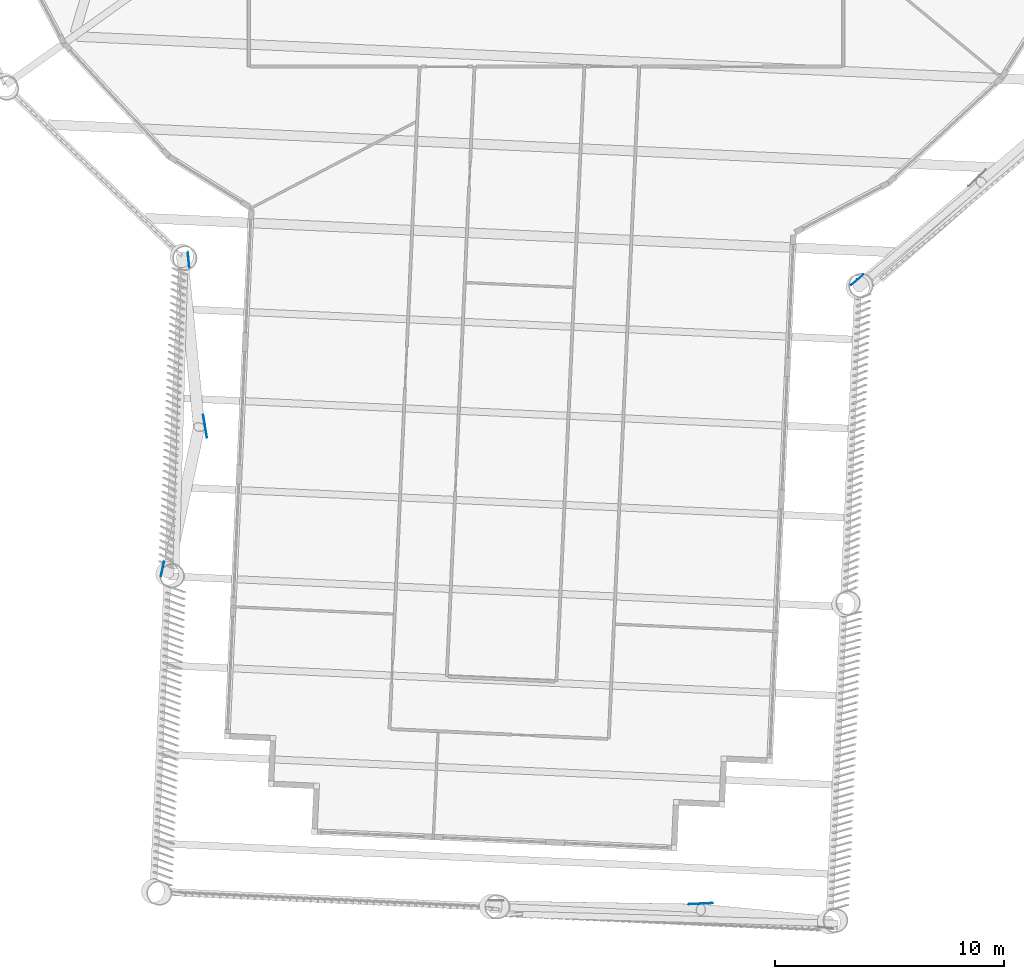
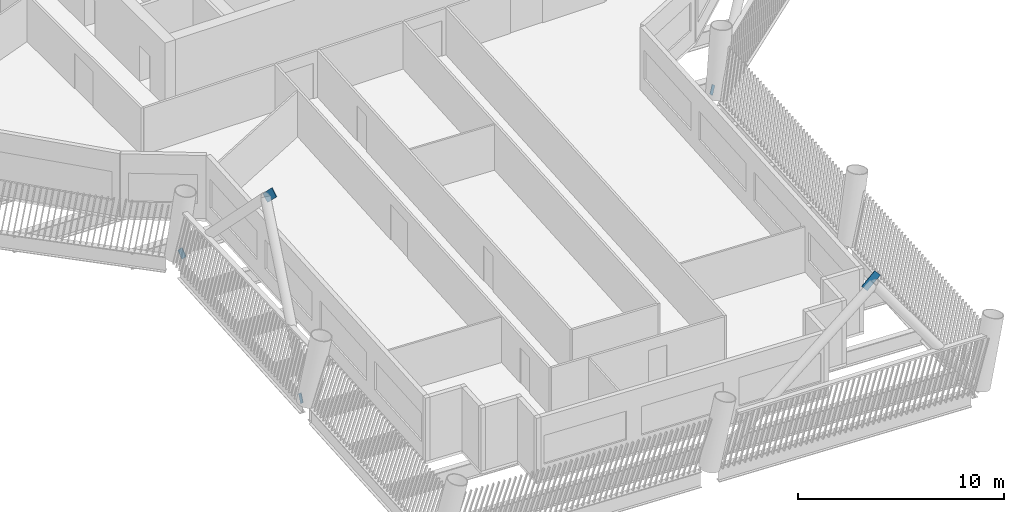
# One storey, part 8 of 24: 5 discrete accessories.
"""IFC4 building model written with IfcOpenShell, lengths in metres."""

from ifc_helpers import new_model, si_unit, direction, frame, origin, origin_2d, place, context, subcontext, project, spatial, rectangle, extrude, material, material_profile, profile_set, type_object, element, save


model = new_model("IFC4")

# Units and contexts
model_context = context("Model", 3, precision=1e-05, world=origin(), true_north=direction((0.0, 1.0)))
body_context = subcontext(model_context, "Body", "Model", "MODEL_VIEW")
ifc_project = project(units=[si_unit("LENGTHUNIT", "METRE"), si_unit("AREAUNIT", "SQUARE_METRE"), si_unit("VOLUMEUNIT", "CUBIC_METRE"), si_unit("PLANEANGLEUNIT", "RADIAN"), si_unit("MASSUNIT", "GRAM", prefix="KILO")], contexts=[model_context])

# Site, building, storey
site_placement = place(None, origin())
site = spatial("IfcSite", under=ifc_project, at=site_placement, CompositionType="ELEMENT")
building_placement = place(site_placement, origin())
building = spatial("IfcBuilding", under=site, at=building_placement, Name="Tarsis Ring Headquarters", CompositionType="ELEMENT")
storey_placement = place(building_placement, frame((0.0, 0.0, 216.0)))
storey = spatial("IfcBuildingStorey", under=building, at=storey_placement, Name="L50", CompositionType="ELEMENT", Elevation=216.0)

# Discrete accessories
ifc_material = material(Name="Structural steel S355", Category="steel")
ifc_material_profile = material_profile(ifc_material, rectangle(XDim=0.02490234375, YDim=0.5, at=origin_2d()), Name="PL 25x500")
ifc_profile_set = profile_set([ifc_material_profile], Name="Structural steel S355")
discrete_accessory_type = type_object("IfcDiscreteAccessoryType", Name="Gusset plate Exo brace 25", PredefinedType="BRACKET", material=ifc_profile_set)
discrete_accessory_1_placement = place(storey_placement, frame((-15.6533203125, -24.272216796875, 0.0), z_axis=(0.068355781542, -0.689905137996, 0.72066523969), x_axis=(0.995127425367, 0.098597197135, 0.0)))
element("IfcDiscreteAccessory", 1, at=discrete_accessory_1_placement, inside=storey, type_object=discrete_accessory_type, Name="Gusset plate GP5", PredefinedType="BRACKET", context=body_context, shape_type="SweptSolid", body=[
    extrude(rectangle(XDim=0.02490234375, YDim=0.5, at=origin_2d()), origin(), (0.0, 0.0, 1.0), 0.5),
])
discrete_accessory_2_placement = place(storey_placement, frame((-14.971435546875, -31.382568359375, 7.4404296875), z_axis=(0.112793862918, -0.685796452242, 0.71899984046), x_axis=(0.986742951131, 0.162290937495, 0.0)))
element("IfcDiscreteAccessory", 2, at=discrete_accessory_2_placement, inside=storey, type_object=discrete_accessory_type, Name="Gusset plate GP5", PredefinedType="BRACKET", context=body_context, shape_type="SweptSolid", body=[
    extrude(rectangle(XDim=0.02490234375, YDim=0.5, at=origin_2d()), origin(), (0.0, 0.0, 1.0), 1.0),
])
discrete_accessory_3_placement = place(storey_placement, frame((-16.809814453125, -38.130615234375, 0.0), z_axis=(0.134304067587, 0.629519793162, 0.765288996032), x_axis=(-0.977990772182, 0.208648147673, 0.0)))
element("IfcDiscreteAccessory", 3, at=discrete_accessory_3_placement, inside=storey, type_object=discrete_accessory_type, Name="Gusset plate GP5", PredefinedType="BRACKET", context=body_context, shape_type="SweptSolid", body=[
    extrude(rectangle(XDim=0.02490234375, YDim=0.5, at=origin_2d()), origin(), (0.0, 0.0, 1.0), 0.5),
])
discrete_accessory_4_placement = place(storey_placement, frame((6.380126953125, -52.63525390625, 7.47607421875), z_axis=(0.76115604547, 0.034664579364, 0.647641753891), x_axis=(-0.045494858674, 0.998964572862, 0.0)))
element("IfcDiscreteAccessory", 4, at=discrete_accessory_4_placement, inside=storey, type_object=discrete_accessory_type, Name="Gusset plate GP5", PredefinedType="BRACKET", context=body_context, shape_type="SweptSolid", body=[
    extrude(rectangle(XDim=0.02490234375, YDim=0.5, at=origin_2d()), origin(), (0.0, 0.0, 1.0), 1.0),
])
discrete_accessory_5_placement = place(storey_placement, frame((13.478515625, -25.43798828125, 0.0), z_axis=(0.512238418891, 0.434596942624, 0.740768047147), x_axis=(-0.646951833199, 0.762530868569, 0.0)))
element("IfcDiscreteAccessory", 5, at=discrete_accessory_5_placement, inside=storey, type_object=discrete_accessory_type, Name="Gusset plate GP5", PredefinedType="BRACKET", context=body_context, shape_type="SweptSolid", body=[
    extrude(rectangle(XDim=0.02490234375, YDim=0.5, at=origin_2d()), origin(), (0.0, 0.0, 1.0), 0.5),
])

save(model, "model.ifc")
